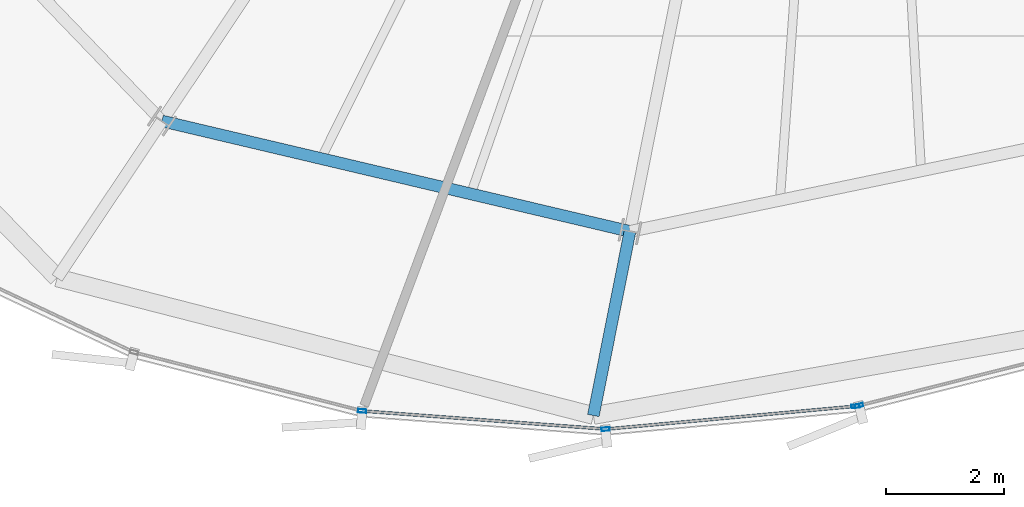
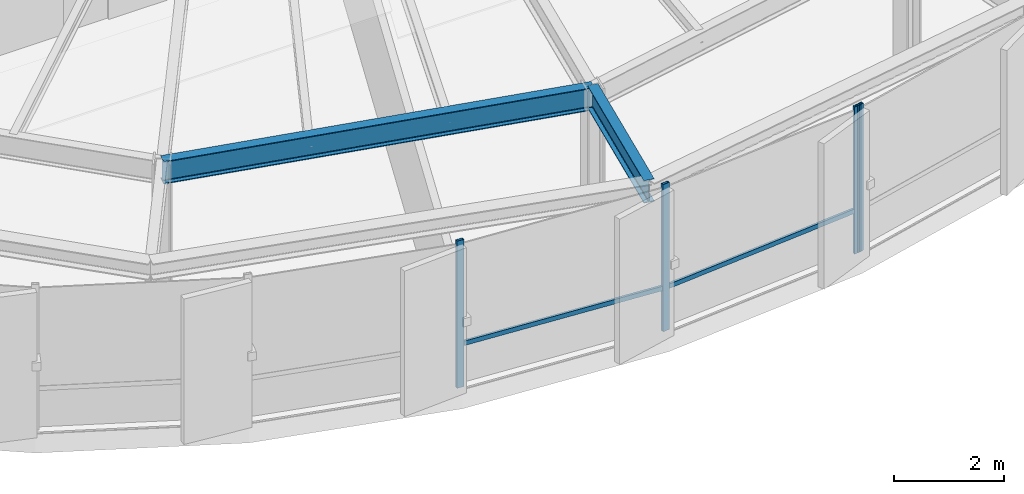
# One storey, part 6 of 36: 6 members, 2 beams, 2 elements without a shape of their own.
"""IFC4 building model written with IfcOpenShell, lengths in metres."""

from ifc_helpers import new_model, si_unit, direction, frame, origin, origin_2d, place, context, subcontext, project, spatial, hollow_rectangle, i_section, extrude, source, transform, mapped, material, layer, layer_set, material_profile, profile_set, type_object, element, aggregate, save


model = new_model("IFC4")

# Units and contexts
model_context = context("Model", 3, precision=1e-05, world=origin(), true_north=direction((0.0, 1.0)))
body_context = subcontext(model_context, "Body", "Model", "MODEL_VIEW")
ifc_project = project(units=[si_unit("LENGTHUNIT", "METRE"), si_unit("AREAUNIT", "SQUARE_METRE"), si_unit("VOLUMEUNIT", "CUBIC_METRE"), si_unit("PLANEANGLEUNIT", "RADIAN"), si_unit("MASSUNIT", "GRAM", prefix="KILO"), si_unit("THERMODYNAMICTEMPERATUREUNIT", "KELVIN")], contexts=[model_context])

# Site, building, storey
site_placement = place(None, origin())
site = spatial("IfcSite", under=ifc_project, at=site_placement, CompositionType="ELEMENT")
building_placement = place(site_placement, origin())
building = spatial("IfcBuilding", under=site, at=building_placement, Name="Kethvar Cultural Tower", CompositionType="ELEMENT")
storey_placement = place(building_placement, frame((0.0, 0.0, 176.39990234375)))
storey = spatial("IfcBuildingStorey", under=building, at=storey_placement, Name="L45", CompositionType="ELEMENT", Elevation=176.39990234375)

# Beams
ifc_material_1 = material(Name="Steel S355J2", Category="steel")
ifc_material_profile_1 = material_profile(ifc_material_1, i_section(OverallWidth=0.199951171875, OverallDepth=0.5, WebThickness=0.01025390625, FlangeThickness=0.01611328125, FilletRadius=0.02099609375, at=origin_2d()), Name="Steel S355J2 — IPE500")
ifc_profile_set_1 = profile_set([ifc_material_profile_1], Name="Steel S355J2 — IPE500")
beam_type = type_object("IfcBeamType", Name="BM-IPE500", PredefinedType="BEAM", material=ifc_profile_set_1)
shared_shape_1 = source(origin(), body_context, "Body", "SweptSolid", [
    extrude(i_section(OverallWidth=0.199951171875, OverallDepth=0.5, WebThickness=0.01025390625, FlangeThickness=0.01611328125, FilletRadius=0.02099609375, at=origin_2d()), origin(), (0.0, 0.0, 1.0), 3.184326171875),
])
beam_1_placement = place(storey_placement, frame((42.903564453125, 8.2109375, 3.008056640625), z_axis=(-0.19512815693, -0.980777753812, 0.0), x_axis=(0.980777753812, -0.19512815693, 0.0)))
element("IfcBeam", 1, at=beam_1_placement, inside=storey, type_object=beam_type, Name="L45 Perimeter Cantilever Beam RC-12", PredefinedType="BEAM", context=body_context, shape_type="MappedRepresentation", body=[
    mapped(shared_shape_1, transform((0.0, 0.0, 0.0), scale=1.0)),
])
shared_shape_2 = source(origin(), body_context, "Body", "SweptSolid", [
    extrude(i_section(OverallWidth=0.199951171875, OverallDepth=0.5, WebThickness=0.01025390625, FlangeThickness=0.01611328125, FilletRadius=0.02099609375, at=origin_2d()), origin(), (0.0, 0.0, 1.0), 8.158935546875),
])
beam_2_placement = place(storey_placement, frame((34.962646484375, 10.084228515625, 3.008056640625), z_axis=(0.973284754953, -0.229601362748, 0.0), x_axis=(0.229601362748, 0.973284754953, 0.0)))
element("IfcBeam", 2, at=beam_2_placement, inside=storey, type_object=beam_type, Name="L45 Column Ring Tie Beam CR-11", PredefinedType="BEAM", context=body_context, shape_type="MappedRepresentation", body=[
    mapped(shared_shape_2, transform((0.0, 0.0, 0.0), scale=1.0)),
])

# Curtain wall, members
ifc_material_2 = material(Name="Aluminium 6063-T6", Category="aluminium")
ifc_layer = layer(ifc_material_2, 0.179931640625, Name="Aluminium 6063-T6", Category="aluminium")
ifc_layer_set = layer_set([ifc_layer], Name="Aluminium 6063-T6 (180 mm)")
curtain_wall_type = type_object("IfcCurtainWallType", Name="CW-SYS-04-Z34", PredefinedType="NOTDEFINED", material=ifc_layer_set)
curtain_wall_1_placement = place(storey_placement, origin())
curtain_wall_1 = element("IfcCurtainWall", 3, at=curtain_wall_1_placement, inside=storey, type_object=curtain_wall_type, Name="L45 Curtain Wall Run 04", PredefinedType="NOTDEFINED")
ifc_material_profile_2 = material_profile(ifc_material_2, hollow_rectangle(XDim=0.06005859375, YDim=0.139892578125, WallThickness=0.0048828125, at=origin_2d()), Name="Aluminium 6063-T6 — RHS140x60x5")
ifc_profile_set_2 = profile_set([ifc_material_profile_2], Name="Aluminium 6063-T6 — RHS140x60x5")
member_type_1 = type_object("IfcMemberType", Name="CW-SYS-04-Z34-MUL", PredefinedType="MULLION", material=ifc_profile_set_2)
shared_shape_3 = source(origin(), body_context, "Body", "SweptSolid", [
    extrude(hollow_rectangle(XDim=0.06005859375, YDim=0.139892578125, WallThickness=0.0048828125, at=origin_2d()), origin(), (0.0, 0.0, 1.0), 3.260009765625),
])
member_1_placement = place(storey_placement, frame((38.359619140625, 5.164794921875, 0.0), z_axis=(0.0, 0.0, 1.0), x_axis=(0.074004057994, 0.997257940254, 0.0)))
member_1 = element("IfcMember", 4, at=member_1_placement, type_object=member_type_1, Name="CW-L45-R04 Mullion 5", PredefinedType="MULLION", context=body_context, shape_type="MappedRepresentation", body=[
    mapped(shared_shape_3, transform((0.0, 0.0, 0.0), scale=1.0)),
])
member_2_placement = place(storey_placement, frame((42.4892578125, 4.856689453125, 0.0), z_axis=(0.0, 0.0, 1.0), x_axis=(-0.091397337714, 0.995814504142, 0.0)))
member_2 = element("IfcMember", 5, at=member_2_placement, type_object=member_type_1, Name="CW-L45-R04 Mullion 6", PredefinedType="MULLION", context=body_context, shape_type="MappedRepresentation", body=[
    mapped(shared_shape_3, transform((0.0, 0.0, 0.0), scale=1.0)),
])
member_3_placement = place(storey_placement, frame((46.72900390625, 5.245849609375, 0.0), z_axis=(0.0, 0.0, 1.0), x_axis=(-0.091397337714, 0.995814504142, 0.0)))
member_3 = element("IfcMember", 6, at=member_3_placement, type_object=member_type_1, Name="CW-L45-R04 Mullion 7", PredefinedType="MULLION", context=body_context, shape_type="MappedRepresentation", body=[
    mapped(shared_shape_3, transform((0.0, 0.0, 0.0), scale=1.0)),
])

# Curtain wall, member
curtain_wall_2_placement = place(storey_placement, origin())
curtain_wall_2 = element("IfcCurtainWall", 7, at=curtain_wall_2_placement, inside=storey, type_object=curtain_wall_type, Name="L45 Curtain Wall Run 05", PredefinedType="NOTDEFINED")
member_4_placement = place(storey_placement, frame((46.788818359375, 5.256103515625, 0.0), z_axis=(0.0, 0.0, 1.0), x_axis=(-0.244952049131, 0.96953519463, 0.0)))
member_4 = element("IfcMember", 8, at=member_4_placement, type_object=member_type_1, Name="CW-L45-R05 Mullion 1", PredefinedType="MULLION", context=body_context, shape_type="MappedRepresentation", body=[
    mapped(shared_shape_3, transform((0.0, 0.0, 0.0), scale=1.0)),
])
aggregate(curtain_wall_2, [member_4])

# Member
ifc_material_profile_3 = material_profile(ifc_material_2, hollow_rectangle(XDim=0.050048828125, YDim=0.10009765625, WallThickness=0.00390625, at=origin_2d()), Name="Aluminium 6063-T6 — RHS100x50x4")
ifc_profile_set_3 = profile_set([ifc_material_profile_3], Name="Aluminium 6063-T6 — RHS100x50x4")
member_type_2 = type_object("IfcMemberType", Name="CW-SYS-04-Z34-TRN", PredefinedType="USERDEFINED", material=ifc_profile_set_3)
shared_shape_4 = source(origin(), body_context, "Body", "SweptSolid", [
    extrude(hollow_rectangle(XDim=0.050048828125, YDim=0.10009765625, WallThickness=0.00390625, at=origin_2d()), origin(), (0.0, 0.0, 1.0), 4.07275390625),
])
member_5_placement = place(storey_placement, frame((38.40283203125, 5.16162109375, 0.9501953125), z_axis=(0.997255801369, -0.074032875372, 0.0), x_axis=(0.074032875372, 0.997255801369, 0.0)))
member_5 = element("IfcMember", 9, at=member_5_placement, type_object=member_type_2, Name="CW-L45-R04 Transom 5", ObjectType="TRANSOM", PredefinedType="USERDEFINED", context=body_context, shape_type="MappedRepresentation", body=[
    mapped(shared_shape_4, transform((0.0, 0.0, 0.0), scale=1.0)),
])

shared_shape_5 = source(origin(), body_context, "Body", "SweptSolid", [
    extrude(hollow_rectangle(XDim=0.050048828125, YDim=0.10009765625, WallThickness=0.00390625, at=origin_2d()), origin(), (0.0, 0.0, 1.0), 4.2099609375),
])
member_6_placement = place(storey_placement, frame((42.5322265625, 4.860595703125, 0.9501953125), z_axis=(0.995809603297, 0.091450718868, 0.0), x_axis=(-0.091450718868, 0.995809603297, 0.0)))
member_6 = element("IfcMember", 10, at=member_6_placement, type_object=member_type_2, Name="CW-L45-R04 Transom 6", ObjectType="TRANSOM", PredefinedType="USERDEFINED", context=body_context, shape_type="MappedRepresentation", body=[
    mapped(shared_shape_5, transform((0.0, 0.0, 0.0), scale=1.0)),
])

aggregate(curtain_wall_1, [member_1, member_2, member_3, member_5, member_6])

save(model, "model.ifc")
